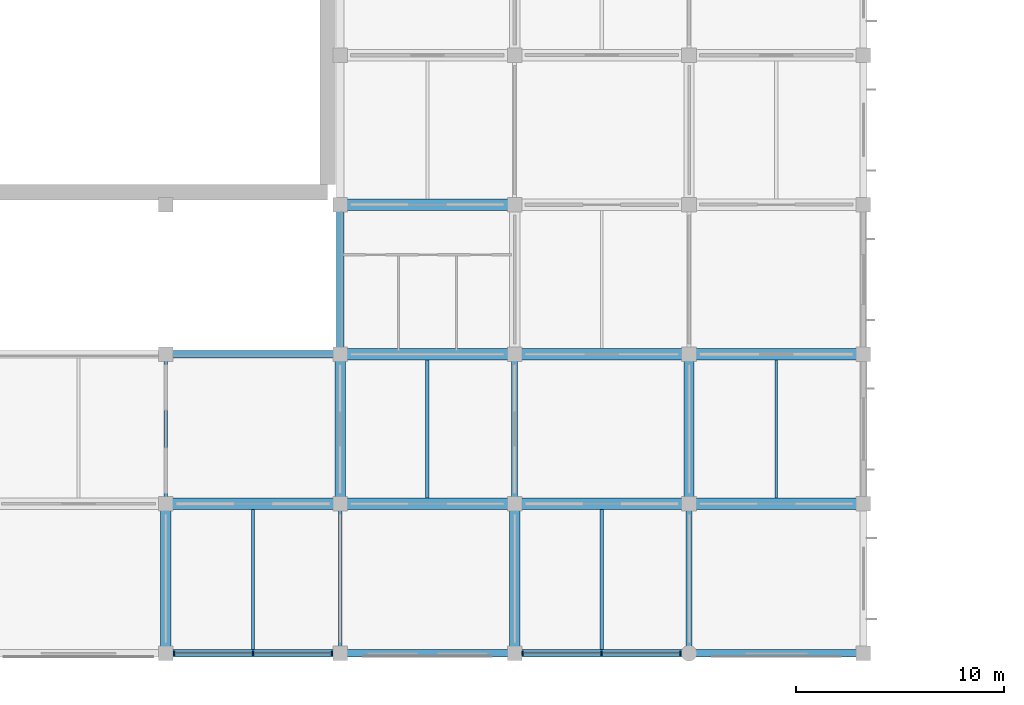
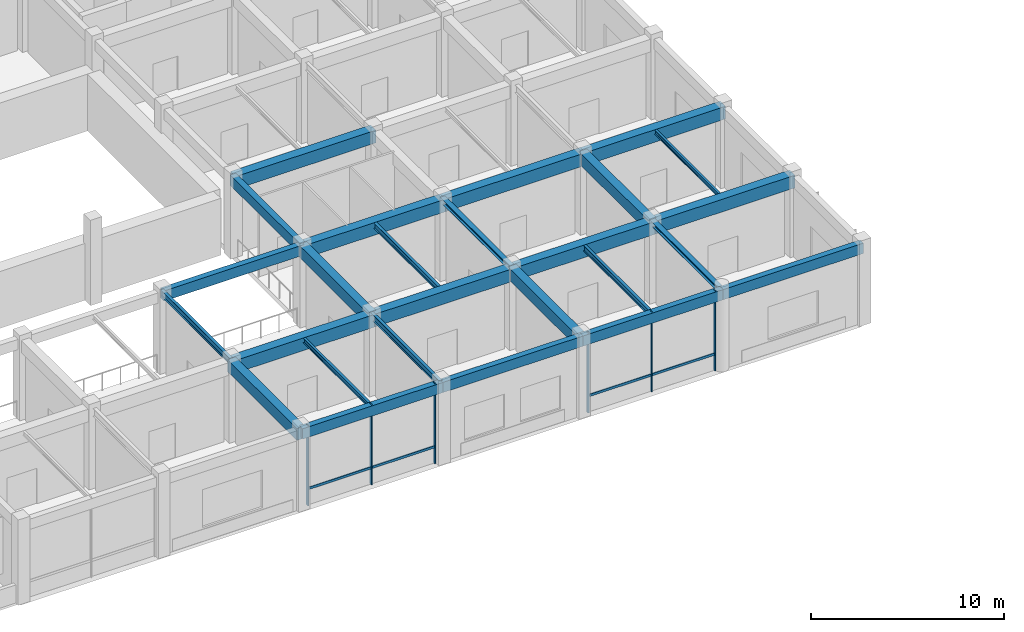
# One storey, part 4 of 41: 26 beams, 10 members, 2 elements without a shape of their own.
"""IFC4 building model written with IfcOpenShell, lengths in metres."""

import ifcopenshell
import ifcopenshell.guid

model = None  # the IFC model being written
_history = None  # IfcOwnerHistory: only IFC2X3 demands one
_inside = {}  # id of a spatial element -> (the spatial element, [elements in it])
_under = {}  # id of a project, library or spatial element -> (it, [spatial elements below it])
_declared = {}  # id of a project -> (the project, [libraries it declares])
_typed = {}  # id of a type object -> (the type object, [elements of that type])
_made_of = {}  # id of a material, layer set ... -> (it, [elements and type objects made of it])


def new_model(schema):
    """Start an empty IFC model of exactly this schema.

    Asked for "IFC4X3", IfcOpenShell would pick the latest addendum, in which some entities
    have other attributes; the version numbers below select the first issue.
    IFC2X3 requires an IfcOwnerHistory on every rooted entity: one is made here for all.
    """
    global model, _history
    if schema == "IFC4X3":
        model = ifcopenshell.file(schema_version=(4, 3, 0, 0))
    else:
        model = ifcopenshell.file(schema=schema)
    _inside.clear()
    _under.clear()
    _declared.clear()
    _typed.clear()
    _made_of.clear()
    _history = None
    if model.schema == "IFC2X3":
        org = make("IfcOrganization", Name="unknown")
        user = make(
            "IfcPersonAndOrganization",
            ThePerson=make("IfcPerson", FamilyName="unknown"),
            TheOrganization=org,
        )
        app = make(
            "IfcApplication",
            ApplicationDeveloper=org,
            Version="unknown",
            ApplicationFullName="unknown",
            ApplicationIdentifier="unknown",
        )
        _history = make(
            "IfcOwnerHistory",
            OwningUser=user,
            OwningApplication=app,
            ChangeAction="ADDED",
            CreationDate=0,
        )
    return model


def make(cls, **values):
    """One entity of the class cls with the attributes given. An attribute that is None is left unset."""
    return model.create_entity(
        cls, **{name: value for name, value in values.items() if value is not None}
    )


def rooted(cls, **values):
    """An entity with a GlobalId (a new one), such as an element, a storey or a relation."""
    return make(cls, GlobalId=ifcopenshell.guid.new(), OwnerHistory=_history, **values)


def si_unit(unit_type, name, prefix=None):
    """IfcSIUnit, for example si_unit("LENGTHUNIT", "METRE", prefix="MILLI")."""
    return make("IfcSIUnit", UnitType=unit_type, Prefix=prefix, Name=name)


def derived_unit(unit_type, elements):
    """IfcDerivedUnit: a product of units, each with its exponent."""
    return make(
        "IfcDerivedUnit",
        Elements=[
            make("IfcDerivedUnitElement", Unit=unit, Exponent=power)
            for unit, power in elements
        ],
        UnitType=unit_type,
    )


def assignment(units):
    """IfcUnitAssignment: the units of a project."""
    return None if units is None else make("IfcUnitAssignment", Units=units)


def point(xyz):
    """IfcCartesianPoint."""
    return None if xyz is None else make("IfcCartesianPoint", Coordinates=xyz)


def direction(xyz):
    """IfcDirection."""
    return None if xyz is None else make("IfcDirection", DirectionRatios=xyz)


def frame(location, z_axis=None, x_axis=None):
    """IfcAxis2Placement3D, a coordinate frame: its origin and axes. An axis left out is left unset."""
    return make(
        "IfcAxis2Placement3D",
        Location=point(location),
        Axis=direction(z_axis),
        RefDirection=direction(x_axis),
    )


def frame_2d(location, x_axis=None):
    """IfcAxis2Placement2D, a coordinate frame in the plane: its origin and x axis."""
    return make(
        "IfcAxis2Placement2D", Location=point(location), RefDirection=direction(x_axis)
    )


def origin():
    """The frame at (0, 0, 0) with its axes left unset."""
    return frame((0.0, 0.0, 0.0))


def origin_2d():
    """The frame at (0, 0) in the plane with its x axis left unset."""
    return frame_2d((0.0, 0.0))


def place(relative_to, where):
    """IfcLocalPlacement: puts the frame where relative to a parent placement (None: the world)."""
    return make(
        "IfcLocalPlacement", PlacementRelTo=relative_to, RelativePlacement=where
    )


def context(
    kind, dimensions, precision=None, world=None, true_north=None, identifier=None
):
    """IfcGeometricRepresentationContext, for example the 3D "Model" context."""
    return make(
        "IfcGeometricRepresentationContext",
        ContextIdentifier=identifier,
        ContextType=kind,
        CoordinateSpaceDimension=dimensions,
        Precision=precision,
        WorldCoordinateSystem=world,
        TrueNorth=true_north,
    )


def subcontext(parent, identifier, kind, view, scale=None):
    """IfcGeometricRepresentationSubContext, for example "Body" below "Model"."""
    return make(
        "IfcGeometricRepresentationSubContext",
        ContextIdentifier=identifier,
        ContextType=kind,
        ParentContext=parent,
        TargetScale=scale,
        TargetView=view,
    )


def project(units=None, contexts=None):
    """IfcProject with its units and contexts."""
    return rooted(
        "IfcProject",
        Name="project",
        RepresentationContexts=contexts,
        UnitsInContext=assignment(units),
    )


def spatial(cls, under=None, at=None, **own):
    """A site, building, storey or space (cls), placed at a placement, below another one or the project."""
    s = rooted(cls, ObjectPlacement=at, **own)
    if under is not None:
        _under.setdefault(under.id(), (under, []))[1].append(s)
    return s


def profile(cls, at=None, kind="AREA", **sizes):
    """A parametric profile (cls). Its sizes go by their IFC names, for example OverallWidth=200.0."""
    return make(cls, ProfileType=kind, Position=at, **sizes)


def rectangle(**sizes):
    """IfcRectangleProfileDef."""
    return profile("IfcRectangleProfileDef", **sizes)


def i_section(**sizes):
    """IfcIShapeProfileDef."""
    return profile("IfcIShapeProfileDef", **sizes)


def extrude(swept, where, along, depth):
    """IfcExtrudedAreaSolid: the profile swept, set in the frame where, extruded along a direction by depth."""
    return make(
        "IfcExtrudedAreaSolid",
        SweptArea=swept,
        Position=where,
        ExtrudedDirection=direction(along),
        Depth=depth,
    )


def shape(context_of_items, identifier, shape_type, items):
    """IfcShapeRepresentation: the items that make up one representation, for example the "Body"."""
    return make(
        "IfcShapeRepresentation",
        ContextOfItems=context_of_items,
        RepresentationIdentifier=identifier,
        RepresentationType=shape_type,
        Items=items,
    )


def material(Name=None, Category=None):
    """IfcMaterial."""
    return make("IfcMaterial", Name=Name, Category=Category)


def material_profile(
    of_material, cross_section, Name=None, Category=None, Priority=None
):
    """IfcMaterialProfile: a cross section and its material."""
    return make(
        "IfcMaterialProfile",
        Name=Name,
        Material=of_material,
        Profile=cross_section,
        Priority=Priority,
        Category=Category,
    )


def profile_set(profiles, Name=None, composite=None):
    """IfcMaterialProfileSet."""
    return make(
        "IfcMaterialProfileSet",
        Name=Name,
        MaterialProfiles=profiles,
        CompositeProfile=composite,
    )


def made_of(thing, what):
    """Note that an element or type object is made of a material, layer set ...; save() writes the relation."""
    if what is not None:
        _made_of.setdefault(what.id(), (what, []))[1].append(thing)
    return thing


def type_object(cls, material=None, **own):
    """A type object (cls), such as IfcWallType, which elements share."""
    return made_of(rooted(cls, **own), material)


def element(
    cls,
    number,
    at=None,
    inside=None,
    cuts=None,
    type_object=None,
    material=None,
    context=None,
    identifier="Body",
    shape_type=None,
    held_by="IfcProductDefinitionShape",
    body=None,
    shapes=None,
    **own,
):
    """One element of the class cls, such as IfcWall. Its Tag is "e" and its number.

    at: its placement. inside: the storey or other place that contains it. cuts: it is an
    opening in that element (IfcRelVoidsElement). A single representation is given by context,
    identifier, shape_type and body (its items); several are given by shapes. held_by: the class
    of the entity that holds the representations. save() writes the other relations.
    """
    e = rooted(cls, Tag="e%d" % number, ObjectPlacement=at, **own)
    if body is not None:
        shapes = [shape(context, identifier, shape_type, body)]
    if shapes is not None:
        e.Representation = make(held_by, Representations=shapes)
    if inside is not None:
        _inside.setdefault(inside.id(), (inside, []))[1].append(e)
    if cuts is not None:
        rooted(
            "IfcRelVoidsElement", RelatingBuildingElement=cuts, RelatedOpeningElement=e
        )
    if type_object is not None:
        _typed.setdefault(type_object.id(), (type_object, []))[1].append(e)
    return made_of(e, material)


def aggregate(whole, parts):
    """IfcRelAggregates: a whole, such as a stair, and the parts it consists of."""
    return rooted("IfcRelAggregates", RelatingObject=whole, RelatedObjects=parts)


def save(model, path):
    """Write the relations noted so far, then the file.

    IfcRelAggregates (storeys below a building ...), IfcRelContainedInSpatialStructure (elements
    in a storey), IfcRelDefinesByType, IfcRelAssociatesMaterial and IfcRelDeclares: one each for
    every whole, place, type object, material and project.
    """
    for whole, parts in _under.values():
        aggregate(whole, parts)
    for where, things in _inside.values():
        rooted(
            "IfcRelContainedInSpatialStructure",
            RelatedElements=things,
            RelatingStructure=where,
        )
    for kind, things in _typed.values():
        rooted("IfcRelDefinesByType", RelatedObjects=things, RelatingType=kind)
    for what, things in _made_of.values():
        rooted("IfcRelAssociatesMaterial", RelatedObjects=things, RelatingMaterial=what)
    for by, libraries in _declared.values():
        rooted("IfcRelDeclares", RelatingContext=by, RelatedDefinitions=libraries)
    model.write(path)


model = new_model("IFC4")

# Units and contexts
model_context = context("Model", 3, precision=1e-05, world=origin(), true_north=direction((0.0, 1.0)))
body_context = subcontext(model_context, "Body", "Model", "MODEL_VIEW")
ifc_project = project(units=[si_unit("LENGTHUNIT", "METRE"), si_unit("AREAUNIT", "SQUARE_METRE"), si_unit("VOLUMEUNIT", "CUBIC_METRE"), si_unit("PLANEANGLEUNIT", "RADIAN"), si_unit("MASSUNIT", "GRAM", prefix="KILO"), derived_unit("THERMALTRANSMITTANCEUNIT", [(si_unit("MASSUNIT", "GRAM", prefix="KILO"), 1), (si_unit("TIMEUNIT", "SECOND"), -3), (si_unit("THERMODYNAMICTEMPERATUREUNIT", "KELVIN"), -1)])], contexts=[model_context])

# Site, building, storey
site_placement = place(None, origin())
site = spatial("IfcSite", under=ifc_project, at=site_placement, CompositionType="ELEMENT")
building_placement = place(site_placement, origin())
building = spatial("IfcBuilding", under=site, at=building_placement, Name="Veldstrom Oceanarium and Marine Research Institute", CompositionType="ELEMENT")
storey_placement = place(building_placement, frame((0.0, 0.0, 6.0)))
storey = spatial("IfcBuildingStorey", under=building, at=storey_placement, Name="L01", CompositionType="ELEMENT", Elevation=6.0)

# Curtain wall, members
ifc_material_1 = material(Name="Anodised Aluminium Framing", Category="aluminium")
curtain_wall_type = type_object("IfcCurtainWallType", Name="ARC-CW-CW02", PredefinedType="USERDEFINED", material=ifc_material_1)
curtain_wall_1_placement = place(storey_placement, origin())
curtain_wall_1 = element("IfcCurtainWall", 1, at=curtain_wall_1_placement, inside=storey, type_object=curtain_wall_type, Name="Curtain Wall CW02 CW-L01-005", ObjectType="Curtain wall", PredefinedType="USERDEFINED")
ifc_material_2 = material(Name="Anodised Aluminium Framing", Category="aluminium")
ifc_material_profile_1 = material_profile(ifc_material_2, rectangle(XDim=0.074951171875, YDim=0.179931640625, at=origin_2d()), Name="ALU-MUL-75x180")
ifc_profile_set_1 = profile_set([ifc_material_profile_1], Name="Anodised Aluminium Framing")
member_type_1 = type_object("IfcMemberType", Name="ARC-MUL-ML1", PredefinedType="MULLION", material=ifc_profile_set_1)
member_1_placement = place(storey_placement, frame((33.989990234375, 0.0, 0.0), z_axis=(0.0, 0.0, 1.0), x_axis=(1.0, 0.0, 0.0)))
member_1 = element("IfcMember", 2, at=member_1_placement, type_object=member_type_1, Name="Curtain Wall Mullion CW-L01-005-MUL-1", PredefinedType="MULLION", context=body_context, shape_type="SweptSolid", body=[
    extrude(rectangle(XDim=0.074951171875, YDim=0.179931640625, at=origin_2d()), origin(), (0.0, 0.0, 1.0), 5.074951171875),
])
member_2_placement = place(storey_placement, frame((37.800048828125, 0.0, 0.0), z_axis=(0.0, 0.0, 1.0), x_axis=(1.0, 0.0, 0.0)))
member_2 = element("IfcMember", 3, at=member_2_placement, type_object=member_type_1, Name="Curtain Wall Mullion CW-L01-005-MUL-2", PredefinedType="MULLION", context=body_context, shape_type="SweptSolid", body=[
    extrude(rectangle(XDim=0.074951171875, YDim=0.179931640625, at=origin_2d()), origin(), (0.0, 0.0, 1.0), 5.074951171875),
])
member_3_placement = place(storey_placement, frame((41.610107421875, 0.0, 0.0), z_axis=(0.0, 0.0, 1.0), x_axis=(1.0, 0.0, 0.0)))
member_3 = element("IfcMember", 4, at=member_3_placement, type_object=member_type_1, Name="Curtain Wall Mullion CW-L01-005-MUL-3", PredefinedType="MULLION", context=body_context, shape_type="SweptSolid", body=[
    extrude(rectangle(XDim=0.074951171875, YDim=0.179931640625, at=origin_2d()), origin(), (0.0, 0.0, 1.0), 5.074951171875),
])

curtain_wall_2_placement = place(storey_placement, origin())
curtain_wall_2 = element("IfcCurtainWall", 5, at=curtain_wall_2_placement, inside=storey, type_object=curtain_wall_type, Name="Curtain Wall CW02 CW-L01-006", ObjectType="Curtain wall", PredefinedType="USERDEFINED")
member_4_placement = place(storey_placement, frame((50.7900390625, 0.0, 0.0), z_axis=(0.0, 0.0, 1.0), x_axis=(1.0, 0.0, 0.0)))
member_4 = element("IfcMember", 6, at=member_4_placement, type_object=member_type_1, Name="Curtain Wall Mullion CW-L01-006-MUL-1", PredefinedType="MULLION", context=body_context, shape_type="SweptSolid", body=[
    extrude(rectangle(XDim=0.074951171875, YDim=0.179931640625, at=origin_2d()), origin(), (0.0, 0.0, 1.0), 5.074951171875),
])
member_5_placement = place(storey_placement, frame((54.58740234375, 0.0, 0.0), z_axis=(0.0, 0.0, 1.0), x_axis=(1.0, 0.0, 0.0)))
member_5 = element("IfcMember", 7, at=member_5_placement, type_object=member_type_1, Name="Curtain Wall Mullion CW-L01-006-MUL-2", PredefinedType="MULLION", context=body_context, shape_type="SweptSolid", body=[
    extrude(rectangle(XDim=0.074951171875, YDim=0.179931640625, at=origin_2d()), origin(), (0.0, 0.0, 1.0), 5.074951171875),
])
member_6_placement = place(storey_placement, frame((58.385009765625, 0.0, 0.0), z_axis=(0.0, 0.0, 1.0), x_axis=(1.0, 0.0, 0.0)))
member_6 = element("IfcMember", 8, at=member_6_placement, type_object=member_type_1, Name="Curtain Wall Mullion CW-L01-006-MUL-3", PredefinedType="MULLION", context=body_context, shape_type="SweptSolid", body=[
    extrude(rectangle(XDim=0.074951171875, YDim=0.179931640625, at=origin_2d()), origin(), (0.0, 0.0, 1.0), 5.074951171875),
])

# Member
ifc_material_3 = material(Name="Anodised Aluminium Framing", Category="aluminium")
ifc_material_profile_2 = material_profile(ifc_material_3, rectangle(XDim=0.074951171875, YDim=0.14990234375, at=origin_2d()), Name="ALU-TRN-75x150")
ifc_profile_set_2 = profile_set([ifc_material_profile_2], Name="Anodised Aluminium Framing")
member_type_2 = type_object("IfcMemberType", Name="ARC-TRN-TR1", PredefinedType="USERDEFINED", material=ifc_profile_set_2)
member_7_placement = place(storey_placement, frame((34.030029296875, 0.0, 1.050048828125), z_axis=(1.0, 0.0, 0.0), x_axis=(0.0, 1.0, 0.0)))
member_7 = element("IfcMember", 9, at=member_7_placement, type_object=member_type_2, Name="Curtain Wall Transom CW-L01-005-TRN-1", ObjectType="Transom", PredefinedType="USERDEFINED", context=body_context, shape_type="SweptSolid", body=[
    extrude(rectangle(XDim=0.074951171875, YDim=0.14990234375, at=origin_2d()), origin(), (0.0, 0.0, 1.0), 3.72998046875),
])

member_8_placement = place(storey_placement, frame((37.840087890625, 0.0, 1.050048828125), z_axis=(1.0, 0.0, 0.0), x_axis=(0.0, 1.0, 0.0)))
member_8 = element("IfcMember", 10, at=member_8_placement, type_object=member_type_2, Name="Curtain Wall Transom CW-L01-005-TRN-2", ObjectType="Transom", PredefinedType="USERDEFINED", context=body_context, shape_type="SweptSolid", body=[
    extrude(rectangle(XDim=0.074951171875, YDim=0.14990234375, at=origin_2d()), origin(), (0.0, 0.0, 1.0), 3.72998046875),
])

aggregate(curtain_wall_1, [member_1, member_2, member_3, member_7, member_8])

member_9_placement = place(storey_placement, frame((50.830078125, 0.0, 1.050048828125), z_axis=(1.0, 0.0, 0.0), x_axis=(0.0, 1.0, 0.0)))
member_9 = element("IfcMember", 11, at=member_9_placement, type_object=member_type_2, Name="Curtain Wall Transom CW-L01-006-TRN-1", ObjectType="Transom", PredefinedType="USERDEFINED", context=body_context, shape_type="SweptSolid", body=[
    extrude(rectangle(XDim=0.074951171875, YDim=0.14990234375, at=origin_2d()), origin(), (0.0, 0.0, 1.0), 3.717529296875),
])

member_10_placement = place(storey_placement, frame((54.62744140625, 0.0, 1.050048828125), z_axis=(1.0, 0.0, 0.0), x_axis=(0.0, 1.0, 0.0)))
member_10 = element("IfcMember", 12, at=member_10_placement, type_object=member_type_2, Name="Curtain Wall Transom CW-L01-006-TRN-2", ObjectType="Transom", PredefinedType="USERDEFINED", context=body_context, shape_type="SweptSolid", body=[
    extrude(rectangle(XDim=0.074951171875, YDim=0.14990234375, at=origin_2d()), origin(), (0.0, 0.0, 1.0), 3.717529296875),
])

aggregate(curtain_wall_2, [member_4, member_5, member_6, member_9, member_10])

# Beams
ifc_material_4 = material(Name="Concrete C40/50", Category="concrete")
ifc_material_profile_3 = material_profile(ifc_material_4, rectangle(XDim=0.550048828125, YDim=0.800048828125, at=origin_2d()), Name="RC-BM-550x800")
ifc_profile_set_3 = profile_set([ifc_material_profile_3], Name="Concrete C40/50")
beam_type_1 = type_object("IfcBeamType", Name="STR-BM-B02", PredefinedType="BEAM", material=ifc_profile_set_3)
for number, where, z_axis, x_axis, name in (
    (13, (33.60009765625, 7.199951171875, 4.669921875), (1.0, 0.0, 0.0), (0.0, 1.0, 0.0), "Primary Beam B02 L01-1167"),
    (14, (42.0, 7.199951171875, 4.669921875), (1.0, 0.0, 0.0), (0.0, 1.0, 0.0), "Primary Beam B02 L01-1175"),
    (15, (42.0, 14.39990234375, 4.669921875), (1.0, 0.0, 0.0), (0.0, 1.0, 0.0), "Primary Beam B02 L01-1176"),
    (16, (42.0, 21.60009765625, 4.669921875), (1.0, 0.0, 0.0), (0.0, 1.0, 0.0), "Primary Beam B02 L01-1177"),
):
    element("IfcBeam", number, at=place(storey_placement, frame(where, z_axis=z_axis, x_axis=x_axis)), inside=storey, type_object=beam_type_1, Name=name, PredefinedType="BEAM", context=body_context, shape_type="SweptSolid", body=[
        extrude(rectangle(XDim=0.550048828125, YDim=0.800048828125, at=origin_2d()), origin(), (0.0, 0.0, 1.0), 8.39990234375),
    ])
for number, where, z_axis, x_axis, name in (
    (17, (50.39990234375, 7.199951171875, 4.669921875), (1.0, 0.0, 0.0), (0.0, 1.0, 0.0), "Primary Beam B02 L01-1186"),
    (18, (50.39990234375, 14.39990234375, 4.669921875), (1.0, 0.0, 0.0), (0.0, 1.0, 0.0), "Primary Beam B02 L01-1187"),
):
    element("IfcBeam", number, at=place(storey_placement, frame(where, z_axis=z_axis, x_axis=x_axis)), inside=storey, type_object=beam_type_1, Name=name, PredefinedType="BEAM", context=body_context, shape_type="SweptSolid", body=[
        extrude(rectangle(XDim=0.550048828125, YDim=0.800048828125, at=origin_2d()), origin(), (0.0, 0.0, 1.0), 8.400146484375),
    ])
for number, where, z_axis, x_axis, name in (
    (19, (58.800048828125, 7.199951171875, 4.669921875), (1.0, 0.0, 0.0), (0.0, 1.0, 0.0), "Primary Beam B02 L01-1197"),
    (20, (58.800048828125, 14.39990234375, 4.669921875), (1.0, 0.0, 0.0), (0.0, 1.0, 0.0), "Primary Beam B02 L01-1198"),
):
    element("IfcBeam", number, at=place(storey_placement, frame(where, z_axis=z_axis, x_axis=x_axis)), inside=storey, type_object=beam_type_1, Name=name, PredefinedType="BEAM", context=body_context, shape_type="SweptSolid", body=[
        extrude(rectangle(XDim=0.550048828125, YDim=0.800048828125, at=origin_2d()), origin(), (0.0, 0.0, 1.0), 8.39990234375),
    ])
ifc_material_5 = material(Name="Concrete C40/50", Category="concrete")
ifc_material_profile_4 = material_profile(ifc_material_5, rectangle(XDim=0.5, YDim=0.75, at=origin_2d()), Name="RC-BM-500x750")
ifc_profile_set_4 = profile_set([ifc_material_profile_4], Name="Concrete C40/50")
beam_type_2 = type_object("IfcBeamType", Name="STR-BM-B03", PredefinedType="BEAM", material=ifc_profile_set_4)
for number, where, z_axis, x_axis, name in (
    (21, (33.60009765625, 0.0, 4.695068359375), (0.0, 1.0, 0.0), (-1.0, 0.0, 0.0), "Primary Beam B03 L01-1317"),
    (22, (42.0, 7.199951171875, 4.695068359375), (0.0, 1.0, 0.0), (-1.0, 0.0, 0.0), "Primary Beam B03 L01-1324"),
    (23, (50.39990234375, 0.0, 4.695068359375), (0.0, 1.0, 0.0), (-1.0, 0.0, 0.0), "Primary Beam B03 L01-1333"),
    (24, (58.800048828125, 7.199951171875, 4.695068359375), (0.0, 1.0, 0.0), (-1.0, 0.0, 0.0), "Primary Beam B03 L01-1344"),
):
    element("IfcBeam", number, at=place(storey_placement, frame(where, z_axis=z_axis, x_axis=x_axis)), inside=storey, type_object=beam_type_2, Name=name, PredefinedType="BEAM", context=body_context, shape_type="SweptSolid", body=[
        extrude(rectangle(XDim=0.5, YDim=0.75, at=origin_2d()), origin(), (0.0, 0.0, 1.0), 7.199951171875),
    ])
ifc_material_6 = material(Name="Steel S355JR", Category="steel")
ifc_material_profile_5 = material_profile(ifc_material_6, i_section(OverallWidth=0.300048828125, OverallDepth=0.2900390625, WebThickness=0.008544921875, FlangeThickness=0.013916015625, FilletRadius=0.027099609375, at=origin_2d()), Name="HEA 300")
ifc_profile_set_5 = profile_set([ifc_material_profile_5], Name="Steel S355JR")
beam_type_3 = type_object("IfcBeamType", Name="STR-BM-SB10", PredefinedType="BEAM", material=ifc_profile_set_5)
for number, where, z_axis, x_axis, name in (
    (25, (50.39990234375, 7.199951171875, 4.925048828125), (0.0, 1.0, 0.0), (-1.0, 0.0, 0.0), "Steel Tie Beam SB10 L01-1334"),
    (26, (58.800048828125, 0.0, 4.925048828125), (0.0, 1.0, 0.0), (-1.0, 0.0, 0.0), "Steel Tie Beam SB10 L01-1343"),
):
    element("IfcBeam", number, at=place(storey_placement, frame(where, z_axis=z_axis, x_axis=x_axis)), inside=storey, type_object=beam_type_3, Name=name, PredefinedType="BEAM", context=body_context, shape_type="SweptSolid", body=[
        extrude(i_section(OverallWidth=0.300048828125, OverallDepth=0.2900390625, WebThickness=0.008544921875, FlangeThickness=0.013916015625, FilletRadius=0.027099609375, at=origin_2d()), origin(), (0.0, 0.0, 1.0), 7.199951171875),
    ])
ifc_material_7 = material(Name="Steel S355JR", Category="steel")
ifc_material_profile_6 = material_profile(ifc_material_7, i_section(OverallWidth=0.179931640625, OverallDepth=0.39990234375, WebThickness=0.008544921875, FlangeThickness=0.013427734375, FilletRadius=0.02099609375, at=origin_2d()), Name="IPE 400")
ifc_profile_set_6 = profile_set([ifc_material_profile_6], Name="Steel S355JR")
beam_type_4 = type_object("IfcBeamType", Name="STR-BM-SB8", PredefinedType="BEAM", material=ifc_profile_set_6)
for number, where, z_axis, x_axis, name in (
    (27, (33.60009765625, 7.199951171875, 4.8701171875), (0.0, 1.0, 0.0), (-1.0, 0.0, 0.0), "Steel Tie Beam SB8 L01-1318"),
    (28, (42.0, 0.0, 4.8701171875), (0.0, 1.0, 0.0), (-1.0, 0.0, 0.0), "Steel Tie Beam SB8 L01-1323"),
):
    element("IfcBeam", number, at=place(storey_placement, frame(where, z_axis=z_axis, x_axis=x_axis)), inside=storey, type_object=beam_type_4, Name=name, PredefinedType="BEAM", context=body_context, shape_type="SweptSolid", body=[
        extrude(i_section(OverallWidth=0.179931640625, OverallDepth=0.39990234375, WebThickness=0.008544921875, FlangeThickness=0.013427734375, FilletRadius=0.02099609375, at=origin_2d()), origin(), (0.0, 0.0, 1.0), 7.199951171875),
    ])
ifc_material_8 = material(Name="Steel S355JR", Category="steel")
ifc_material_profile_7 = material_profile(ifc_material_8, i_section(OverallWidth=0.169921875, OverallDepth=0.360107421875, WebThickness=0.008056640625, FlangeThickness=0.0126953125, FilletRadius=0.01806640625, at=origin_2d()), Name="IPE 360")
ifc_profile_set_7 = profile_set([ifc_material_profile_7], Name="Steel S355JR")
beam_type_5 = type_object("IfcBeamType", Name="STR-JST-SJ1", PredefinedType="JOIST", material=ifc_profile_set_7)
beam_1_placement = place(storey_placement, frame((46.199951171875, 7.47509765625, 4.889892578125), z_axis=(0.0, 1.0, 0.0), x_axis=(-1.0, 0.0, 0.0)))
element("IfcBeam", 29, at=beam_1_placement, inside=storey, type_object=beam_type_5, Name="Secondary Joist SJ1 L01-1448", PredefinedType="JOIST", context=body_context, shape_type="SweptSolid", body=[
    extrude(i_section(OverallWidth=0.169921875, OverallDepth=0.360107421875, WebThickness=0.008056640625, FlangeThickness=0.0126953125, FilletRadius=0.01806640625, at=origin_2d()), origin(), (0.0, 0.0, 1.0), 6.64990234375),
])
beam_2_placement = place(storey_placement, frame((54.60009765625, 0.175048828125, 4.889892578125), z_axis=(0.0, 1.0, 0.0), x_axis=(-1.0, 0.0, 0.0)))
element("IfcBeam", 30, at=beam_2_placement, inside=storey, type_object=beam_type_5, Name="Secondary Joist SJ1 L01-1452", PredefinedType="JOIST", context=body_context, shape_type="SweptSolid", body=[
    extrude(i_section(OverallWidth=0.169921875, OverallDepth=0.360107421875, WebThickness=0.008056640625, FlangeThickness=0.0126953125, FilletRadius=0.01806640625, at=origin_2d()), origin(), (0.0, 0.0, 1.0), 6.75),
])
ifc_material_9 = material(Name="Steel S355JR", Category="steel")
ifc_material_profile_8 = material_profile(ifc_material_9, i_section(OverallWidth=0.14990234375, OverallDepth=0.300048828125, WebThickness=0.007080078125, FlangeThickness=0.0107421875, FilletRadius=0.014892578125, at=origin_2d()), Name="IPE 300")
ifc_profile_set_8 = profile_set([ifc_material_profile_8], Name="Steel S355JR")
beam_type_6 = type_object("IfcBeamType", Name="STR-JST-SJ2", PredefinedType="JOIST", material=ifc_profile_set_8)
beam_3_placement = place(storey_placement, frame((37.800048828125, 0.175048828125, 4.919921875), z_axis=(0.0, 1.0, 0.0), x_axis=(-1.0, 0.0, 0.0)))
element("IfcBeam", 31, at=beam_3_placement, inside=storey, type_object=beam_type_6, Name="Secondary Joist SJ2 L01-1445", PredefinedType="JOIST", context=body_context, shape_type="SweptSolid", body=[
    extrude(i_section(OverallWidth=0.14990234375, OverallDepth=0.300048828125, WebThickness=0.007080078125, FlangeThickness=0.0107421875, FilletRadius=0.014892578125, at=origin_2d()), origin(), (0.0, 0.0, 1.0), 6.75),
])
ifc_material_10 = material(Name="Steel S355JR", Category="steel")
ifc_material_profile_9 = material_profile(ifc_material_10, i_section(OverallWidth=0.135009765625, OverallDepth=0.27001953125, WebThickness=0.006591796875, FlangeThickness=0.01025390625, FilletRadius=0.014892578125, at=origin_2d()), Name="IPE 270")
ifc_profile_set_9 = profile_set([ifc_material_profile_9], Name="Steel S355JR")
beam_type_7 = type_object("IfcBeamType", Name="STR-JST-SJ3", PredefinedType="JOIST", material=ifc_profile_set_9)
beam_4_placement = place(storey_placement, frame((63.0, 7.47509765625, 4.93505859375), z_axis=(0.0, 1.0, 0.0), x_axis=(-1.0, 0.0, 0.0)))
element("IfcBeam", 32, at=beam_4_placement, inside=storey, type_object=beam_type_7, Name="Secondary Joist SJ3 L01-1457", PredefinedType="JOIST", context=body_context, shape_type="SweptSolid", body=[
    extrude(i_section(OverallWidth=0.135009765625, OverallDepth=0.27001953125, WebThickness=0.006591796875, FlangeThickness=0.01025390625, FilletRadius=0.014892578125, at=origin_2d()), origin(), (0.0, 0.0, 1.0), 6.64990234375),
])
ifc_material_11 = material(Name="Concrete C40/50", Category="concrete")
ifc_material_profile_10 = material_profile(ifc_material_11, rectangle(XDim=0.35009765625, YDim=0.64990234375, at=origin_2d()), Name="RC-SPN-350x650")
ifc_profile_set_10 = profile_set([ifc_material_profile_10], Name="Concrete C40/50")
beam_type_8 = type_object("IfcBeamType", Name="STR-SPN-SP1", PredefinedType="SPANDREL", material=ifc_profile_set_10)
for number, where, z_axis, x_axis, name in (
    (33, (33.60009765625, 0.0, 4.7451171875), (1.0, 0.0, 0.0), (0.0, 1.0, 0.0), "Perimeter Spandrel SPB1 L01-1166"),
    (34, (33.60009765625, 14.39990234375, 4.7451171875), (1.0, 0.0, 0.0), (0.0, 1.0, 0.0), "Perimeter Spandrel SPB1 L01-1168"),
    (35, (42.0, 0.0, 4.7451171875), (1.0, 0.0, 0.0), (0.0, 1.0, 0.0), "Perimeter Spandrel SPB1 L01-1174"),
):
    element("IfcBeam", number, at=place(storey_placement, frame(where, z_axis=z_axis, x_axis=x_axis)), inside=storey, type_object=beam_type_8, Name=name, PredefinedType="SPANDREL", context=body_context, shape_type="SweptSolid", body=[
        extrude(rectangle(XDim=0.35009765625, YDim=0.64990234375, at=origin_2d()), origin(), (0.0, 0.0, 1.0), 8.39990234375),
    ])
beam_5_placement = place(storey_placement, frame((50.39990234375, 0.0, 4.7451171875), z_axis=(1.0, 0.0, 0.0), x_axis=(0.0, 1.0, 0.0)))
element("IfcBeam", 36, at=beam_5_placement, inside=storey, type_object=beam_type_8, Name="Perimeter Spandrel SPB1 L01-1185", PredefinedType="SPANDREL", context=body_context, shape_type="SweptSolid", body=[
    extrude(rectangle(XDim=0.35009765625, YDim=0.64990234375, at=origin_2d()), origin(), (0.0, 0.0, 1.0), 8.400146484375),
])
beam_6_placement = place(storey_placement, frame((58.800048828125, 0.0, 4.7451171875), z_axis=(1.0, 0.0, 0.0), x_axis=(0.0, 1.0, 0.0)))
element("IfcBeam", 37, at=beam_6_placement, inside=storey, type_object=beam_type_8, Name="Perimeter Spandrel SPB1 L01-1196", PredefinedType="SPANDREL", context=body_context, shape_type="SweptSolid", body=[
    extrude(rectangle(XDim=0.35009765625, YDim=0.64990234375, at=origin_2d()), origin(), (0.0, 0.0, 1.0), 8.39990234375),
])
beam_7_placement = place(storey_placement, frame((42.0, 14.39990234375, 4.7451171875), z_axis=(0.0, 1.0, 0.0), x_axis=(-1.0, 0.0, 0.0)))
element("IfcBeam", 38, at=beam_7_placement, inside=storey, type_object=beam_type_8, Name="Perimeter Spandrel SPB1 L01-1325", PredefinedType="SPANDREL", context=body_context, shape_type="SweptSolid", body=[
    extrude(rectangle(XDim=0.35009765625, YDim=0.64990234375, at=origin_2d()), origin(), (0.0, 0.0, 1.0), 7.2001953125),
])

save(model, "model.ifc")
